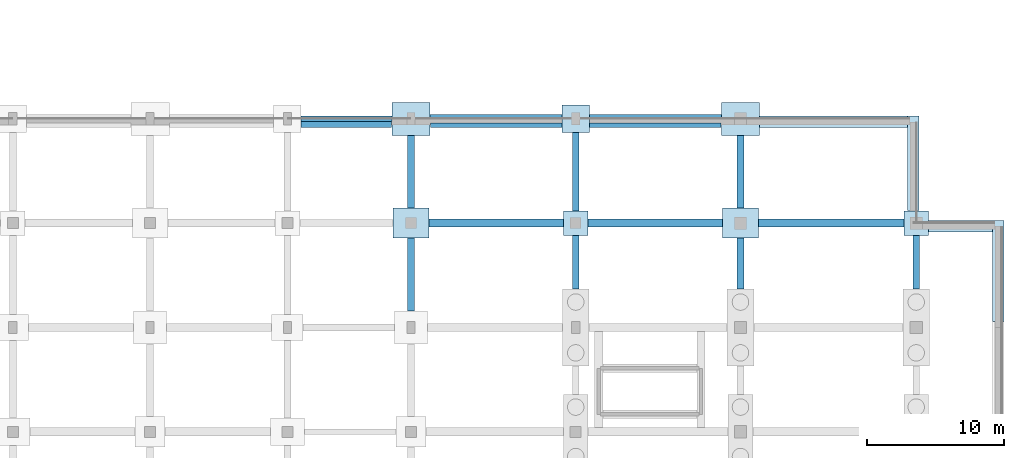
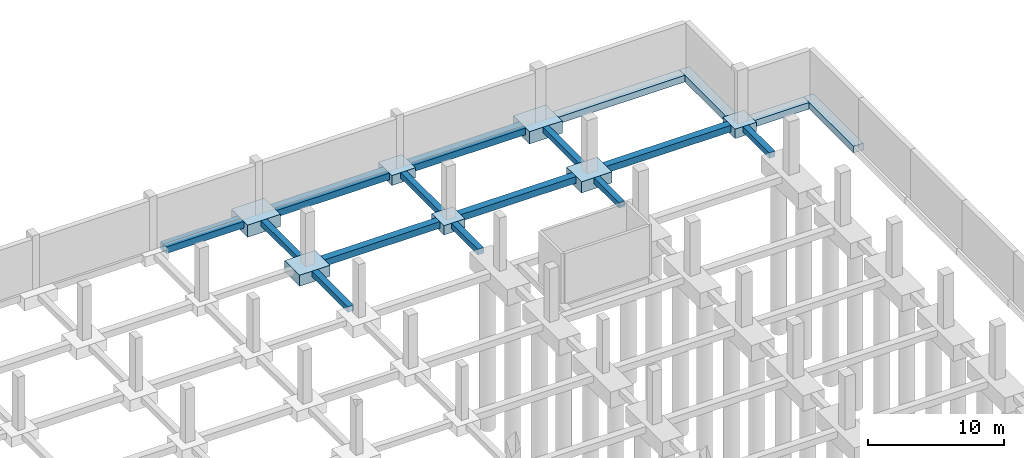
# One storey, part 27 of 50: 27 footings.
"""IFC4 building model written with IfcOpenShell, lengths in metres."""

from ifc_helpers import new_model, si_unit, direction, frame, origin, origin_2d, place, context, subcontext, project, spatial, polyline, rectangle, outline, extrude, material, material_profile, profile_set, type_object, element, save


model = new_model("IFC4")

# Units and contexts
model_context = context("Model", 3, precision=1e-05, world=origin(), true_north=direction((0.0, 1.0)))
body_context = subcontext(model_context, "Body", "Model", "MODEL_VIEW")
ifc_project = project(units=[si_unit("LENGTHUNIT", "METRE"), si_unit("AREAUNIT", "SQUARE_METRE"), si_unit("VOLUMEUNIT", "CUBIC_METRE"), si_unit("PLANEANGLEUNIT", "RADIAN"), si_unit("MASSUNIT", "GRAM", prefix="KILO")], contexts=[model_context])

# Site, building, storey
site_placement = place(None, origin())
site = spatial("IfcSite", under=ifc_project, at=site_placement, CompositionType="ELEMENT")
building_placement = place(site_placement, origin())
building = spatial("IfcBuilding", under=site, at=building_placement, Name="Vekula Escarpment Museum", CompositionType="ELEMENT")
storey_placement = place(building_placement, frame((0.0, 0.0, -4.800048828125)))
storey = spatial("IfcBuildingStorey", under=building, at=storey_placement, Name="B1", CompositionType="ELEMENT", Elevation=-4.800048828125)

# Footings
ifc_material_1 = material(Name="Concrete C35/45", Category="concrete")
footing_type_1 = type_object("IfcFootingType", Name="FB-STRIP-600", PredefinedType="STRIP_FOOTING", material=ifc_material_1)
footing_1_placement = place(storey_placement, frame((0.0, 0.0, -0.599853515625)))
element("IfcFooting", 1, at=footing_1_placement, inside=storey, type_object=footing_type_1, Name="Plinth Wall Strip Footing 0101", PredefinedType="STRIP_FOOTING", context=body_context, shape_type="SweptSolid", body=[
    extrude(outline(polyline([(197.35498046875, 128.594970703125), (198.195068359375, 128.594970703125), (198.195068359375, 121.22412109375), (197.35498046875, 121.22412109375), (197.35498046875, 128.594970703125)])), origin(), (0.0, 0.0, 1.0), 0.599853515625),
])
footing_2_placement = place(storey_placement, frame((0.0, 0.0, -0.599853515625)))
element("IfcFooting", 2, at=footing_2_placement, inside=storey, type_object=footing_type_1, Name="Plinth Wall Strip Footing 0102", PredefinedType="STRIP_FOOTING", context=body_context, shape_type="SweptSolid", body=[
    extrude(outline(polyline([(192.7041015625, 127.7548828125), (192.7041015625, 128.594970703125), (197.35107421875, 128.594970703125), (197.35107421875, 127.7548828125), (192.7041015625, 127.7548828125)])), origin(), (0.0, 0.0, 1.0), 0.599853515625),
])
footing_3_placement = place(storey_placement, frame((0.0, 0.0, -0.599853515625)))
element("IfcFooting", 3, at=footing_3_placement, inside=storey, type_object=footing_type_1, Name="Plinth Wall Strip Footing 0103", PredefinedType="STRIP_FOOTING", context=body_context, shape_type="SweptSolid", body=[
    extrude(outline(polyline([(191.155029296875, 136.195068359375), (191.9951171875, 136.195068359375), (191.9951171875, 129.303955078125), (191.155029296875, 129.303955078125), (191.155029296875, 136.195068359375)])), origin(), (0.0, 0.0, 1.0), 0.599853515625),
])
footing_4_placement = place(storey_placement, frame((0.0, 0.0, -0.599853515625)))
element("IfcFooting", 4, at=footing_4_placement, inside=storey, type_object=footing_type_1, Name="Plinth Wall Strip Footing 0104", PredefinedType="STRIP_FOOTING", context=body_context, shape_type="SweptSolid", body=[
    extrude(outline(polyline([(180.404052734375, 135.35498046875), (180.404052734375, 136.195068359375), (191.15087890625, 136.195068359375), (191.15087890625, 135.35498046875), (180.404052734375, 135.35498046875)])), origin(), (0.0, 0.0, 1.0), 0.599853515625),
])
footing_5_placement = place(storey_placement, frame((0.0, 0.0, -0.599853515625)))
element("IfcFooting", 5, at=footing_5_placement, inside=storey, type_object=footing_type_1, Name="Plinth Wall Strip Footing 0105", PredefinedType="STRIP_FOOTING", context=body_context, shape_type="SweptSolid", body=[
    extrude(outline(polyline([(168.00390625, 135.35498046875), (168.00390625, 135.696044921875), (177.595947265625, 135.696044921875), (177.595947265625, 135.35498046875), (168.00390625, 135.35498046875)])), origin(), (0.0, 0.0, 1.0), 0.599853515625),
])
footing_6_placement = place(storey_placement, frame((0.0, 0.0, -0.599853515625)))
element("IfcFooting", 6, at=footing_6_placement, inside=storey, type_object=footing_type_1, Name="Plinth Wall Strip Footing 0106", PredefinedType="STRIP_FOOTING", context=body_context, shape_type="SweptSolid", body=[
    extrude(outline(polyline([(156.404052734375, 135.35498046875), (156.404052734375, 135.696044921875), (165.99609375, 135.696044921875), (165.99609375, 135.35498046875), (156.404052734375, 135.35498046875)])), origin(), (0.0, 0.0, 1.0), 0.599853515625),
])
footing_7_placement = place(storey_placement, frame((0.0, 0.0, -0.599853515625)))
element("IfcFooting", 7, at=footing_7_placement, inside=storey, type_object=footing_type_1, Name="Plinth Wall Strip Footing 0107", PredefinedType="STRIP_FOOTING", context=body_context, shape_type="SweptSolid", body=[
    extrude(outline(polyline([(147.00390625, 135.35498046875), (147.00390625, 135.7958984375), (153.595947265625, 135.7958984375), (153.595947265625, 135.35498046875), (147.00390625, 135.35498046875)])), origin(), (0.0, 0.0, 1.0), 0.599853515625),
])
ifc_material_2 = material(Name="Concrete C35/45", Category="concrete")
ifc_material_profile_1 = material_profile(ifc_material_2, rectangle(XDim=0.39990234375, YDim=0.699951171875, at=origin_2d()), Name="RC 400x700")
ifc_profile_set_1 = profile_set([ifc_material_profile_1], Name="Concrete C35/45")
footing_type_2 = type_object("IfcFootingType", Name="FB-TIE-400x700", PredefinedType="FOOTING_BEAM", material=ifc_profile_set_1)
footing_8_placement = place(storey_placement, frame((147.0, 136.0, -0.349853515625), z_axis=(1.0, 0.0, 0.0), x_axis=(0.0, 1.0, 0.0)))
element("IfcFooting", 8, at=footing_8_placement, inside=storey, type_object=footing_type_2, Name="Foundation Tie Beam 399", PredefinedType="FOOTING_BEAM", context=body_context, shape_type="SweptSolid", body=[
    extrude(rectangle(XDim=0.39990234375, YDim=0.699951171875, at=origin_2d()), origin(), (0.0, 0.0, 1.0), 6.60009765625),
])
ifc_material_3 = material(Name="Concrete C35/45", Category="concrete")
ifc_material_profile_2 = material_profile(ifc_material_3, rectangle(XDim=0.5, YDim=0.5, at=origin_2d()), Name="RC 500x500")
ifc_profile_set_2 = profile_set([ifc_material_profile_2], Name="Concrete C35/45")
footing_type_3 = type_object("IfcFootingType", Name="FB-TIE-500x500", PredefinedType="FOOTING_BEAM", material=ifc_profile_set_2)
for number, where, z_axis, x_axis, name in (
    (9, (155.0, 122.0, -0.25), (0.0, 1.0, 0.0), (-1.0, 0.0, 0.0), "Foundation Tie Beam 737"),
    (10, (155.0, 129.5, -0.25), (0.0, 1.0, 0.0), (-1.0, 0.0, 0.0), "Foundation Tie Beam 738"),
):
    element("IfcFooting", number, at=place(storey_placement, frame(where, z_axis=z_axis, x_axis=x_axis)), inside=storey, type_object=footing_type_3, Name=name, PredefinedType="FOOTING_BEAM", context=body_context, shape_type="SweptSolid", body=[
        extrude(rectangle(XDim=0.5, YDim=0.5, at=origin_2d()), origin(), (0.0, 0.0, 1.0), 5.300048828125),
    ])
footing_9_placement = place(storey_placement, frame((167.0, 123.60009765625, -0.25), z_axis=(0.0, 1.0, 0.0), x_axis=(-1.0, 0.0, 0.0)))
element("IfcFooting", 11, at=footing_9_placement, inside=storey, type_object=footing_type_3, Name="Foundation Tie Beam 756", PredefinedType="FOOTING_BEAM", context=body_context, shape_type="SweptSolid", body=[
    extrude(rectangle(XDim=0.5, YDim=0.5, at=origin_2d()), origin(), (0.0, 0.0, 1.0), 3.89990234375),
])
footing_10_placement = place(storey_placement, frame((167.0, 129.300048828125, -0.25), z_axis=(0.0, 1.0, 0.0), x_axis=(-1.0, 0.0, 0.0)))
element("IfcFooting", 12, at=footing_10_placement, inside=storey, type_object=footing_type_3, Name="Foundation Tie Beam 757", PredefinedType="FOOTING_BEAM", context=body_context, shape_type="SweptSolid", body=[
    extrude(rectangle(XDim=0.5, YDim=0.5, at=origin_2d()), origin(), (0.0, 0.0, 1.0), 5.699951171875),
])
footing_11_placement = place(storey_placement, frame((179.0, 123.60009765625, -0.25), z_axis=(0.0, 1.0, 0.0), x_axis=(-1.0, 0.0, 0.0)))
element("IfcFooting", 13, at=footing_11_placement, inside=storey, type_object=footing_type_3, Name="Foundation Tie Beam 775", PredefinedType="FOOTING_BEAM", context=body_context, shape_type="SweptSolid", body=[
    extrude(rectangle(XDim=0.5, YDim=0.5, at=origin_2d()), origin(), (0.0, 0.0, 1.0), 3.699951171875),
])
footing_12_placement = place(storey_placement, frame((179.0, 129.5, -0.25), z_axis=(0.0, 1.0, 0.0), x_axis=(-1.0, 0.0, 0.0)))
element("IfcFooting", 14, at=footing_12_placement, inside=storey, type_object=footing_type_3, Name="Foundation Tie Beam 776", PredefinedType="FOOTING_BEAM", context=body_context, shape_type="SweptSolid", body=[
    extrude(rectangle(XDim=0.5, YDim=0.5, at=origin_2d()), origin(), (0.0, 0.0, 1.0), 5.300048828125),
])
footing_13_placement = place(storey_placement, frame((191.800048828125, 123.60009765625, -0.25), z_axis=(0.0, 1.0, 0.0), x_axis=(-1.0, 0.0, 0.0)))
element("IfcFooting", 15, at=footing_13_placement, inside=storey, type_object=footing_type_3, Name="Foundation Tie Beam 794", PredefinedType="FOOTING_BEAM", context=body_context, shape_type="SweptSolid", body=[
    extrude(rectangle(XDim=0.5, YDim=0.5, at=origin_2d()), origin(), (0.0, 0.0, 1.0), 3.89990234375),
])
ifc_material_4 = material(Name="Concrete C35/45", Category="concrete")
ifc_material_profile_3 = material_profile(ifc_material_4, rectangle(XDim=0.60009765625, YDim=0.60009765625, at=origin_2d()), Name="RC 600x600")
ifc_profile_set_3 = profile_set([ifc_material_profile_3], Name="Concrete C35/45")
footing_type_4 = type_object("IfcFootingType", Name="FB-TIE-600x600", PredefinedType="FOOTING_BEAM", material=ifc_profile_set_3)
for number, where, z_axis, x_axis, name in (
    (16, (156.300048828125, 128.39990234375, -0.300048828125), (1.0, 0.0, 0.0), (0.0, 1.0, 0.0), "Foundation Tie Beam 377"),
    (17, (167.89990234375, 128.39990234375, -0.300048828125), (1.0, 0.0, 0.0), (0.0, 1.0, 0.0), "Foundation Tie Beam 378"),
):
    element("IfcFooting", number, at=place(storey_placement, frame(where, z_axis=z_axis, x_axis=x_axis)), inside=storey, type_object=footing_type_4, Name=name, PredefinedType="FOOTING_BEAM", context=body_context, shape_type="SweptSolid", body=[
        extrude(rectangle(XDim=0.60009765625, YDim=0.60009765625, at=origin_2d()), origin(), (0.0, 0.0, 1.0), 9.800048828125),
    ])
footing_14_placement = place(storey_placement, frame((180.300048828125, 128.39990234375, -0.300048828125), z_axis=(1.0, 0.0, 0.0), x_axis=(0.0, 1.0, 0.0)))
element("IfcFooting", 18, at=footing_14_placement, inside=storey, type_object=footing_type_4, Name="Foundation Tie Beam 379", PredefinedType="FOOTING_BEAM", context=body_context, shape_type="SweptSolid", body=[
    extrude(rectangle(XDim=0.60009765625, YDim=0.60009765625, at=origin_2d()), origin(), (0.0, 0.0, 1.0), 10.599853515625),
])
for number, where, z_axis, x_axis, name in (
    (19, (156.39990234375, 136.0, -0.300048828125), (1.0, 0.0, 0.0), (0.0, 1.0, 0.0), "Foundation Tie Beam 400"),
    (20, (168.0, 136.0, -0.300048828125), (1.0, 0.0, 0.0), (0.0, 1.0, 0.0), "Foundation Tie Beam 401"),
):
    element("IfcFooting", number, at=place(storey_placement, frame(where, z_axis=z_axis, x_axis=x_axis)), inside=storey, type_object=footing_type_4, Name=name, PredefinedType="FOOTING_BEAM", context=body_context, shape_type="SweptSolid", body=[
        extrude(rectangle(XDim=0.60009765625, YDim=0.60009765625, at=origin_2d()), origin(), (0.0, 0.0, 1.0), 9.60009765625),
    ])
ifc_material_5 = material(Name="Concrete C35/45", Category="concrete")
footing_type_5 = type_object("IfcFootingType", Name="FC-PAD1", PredefinedType="PAD_FOOTING", material=ifc_material_5)
footing_15_placement = place(storey_placement, frame((0.0, 0.0, -0.849853515625)))
element("IfcFooting", 21, at=footing_15_placement, inside=storey, type_object=footing_type_5, Name="Foundation FC-PAD1 (167.0,128.4)", PredefinedType="PAD_FOOTING", context=body_context, shape_type="SweptSolid", body=[
    extrude(outline(polyline([(166.10009765625, 127.5), (167.89990234375, 127.5), (167.89990234375, 129.300048828125), (166.10009765625, 129.300048828125), (166.10009765625, 127.5)])), origin(), (0.0, 0.0, 1.0), 0.849853515625),
])
footing_16_placement = place(storey_placement, frame((0.0, 0.0, -0.849853515625)))
element("IfcFooting", 22, at=footing_16_placement, inside=storey, type_object=footing_type_5, Name="Foundation FC-PAD1 (191.8,128.4)", PredefinedType="PAD_FOOTING", context=body_context, shape_type="SweptSolid", body=[
    extrude(outline(polyline([(190.89990234375, 127.5), (192.699951171875, 127.5), (192.699951171875, 129.300048828125), (190.89990234375, 129.300048828125), (190.89990234375, 127.5)])), origin(), (0.0, 0.0, 1.0), 0.849853515625),
])
ifc_material_6 = material(Name="Concrete C35/45", Category="concrete")
footing_type_6 = type_object("IfcFootingType", Name="FC-PAD2", PredefinedType="PAD_FOOTING", material=ifc_material_6)
footing_17_placement = place(storey_placement, frame((0.0, 0.0, -0.89990234375)))
element("IfcFooting", 23, at=footing_17_placement, inside=storey, type_object=footing_type_6, Name="Foundation FC-PAD2 (167.0,136.0)", PredefinedType="PAD_FOOTING", context=body_context, shape_type="SweptSolid", body=[
    extrude(outline(polyline([(166.0, 135.0), (168.0, 135.0), (168.0, 137.0), (166.0, 137.0), (166.0, 135.0)])), origin(), (0.0, 0.0, 1.0), 0.89990234375),
])
ifc_material_7 = material(Name="Concrete C35/45", Category="concrete")
footing_type_7 = type_object("IfcFootingType", Name="FC-PAD5", PredefinedType="PAD_FOOTING", material=ifc_material_7)
footing_18_placement = place(storey_placement, frame((0.0, 0.0, -1.0)))
element("IfcFooting", 24, at=footing_18_placement, inside=storey, type_object=footing_type_7, Name="Foundation FC-PAD5 (155.0,128.4)", PredefinedType="PAD_FOOTING", context=body_context, shape_type="SweptSolid", body=[
    extrude(outline(polyline([(153.699951171875, 127.300048828125), (156.300048828125, 127.300048828125), (156.300048828125, 129.5), (153.699951171875, 129.5), (153.699951171875, 127.300048828125)])), origin(), (0.0, 0.0, 1.0), 1.0),
])
footing_19_placement = place(storey_placement, frame((0.0, 0.0, -1.0)))
element("IfcFooting", 25, at=footing_19_placement, inside=storey, type_object=footing_type_7, Name="Foundation FC-PAD5 (179.0,128.4)", PredefinedType="PAD_FOOTING", context=body_context, shape_type="SweptSolid", body=[
    extrude(outline(polyline([(177.699951171875, 127.300048828125), (180.300048828125, 127.300048828125), (180.300048828125, 129.5), (177.699951171875, 129.5), (177.699951171875, 127.300048828125)])), origin(), (0.0, 0.0, 1.0), 1.0),
])
ifc_material_8 = material(Name="Concrete C35/45", Category="concrete")
footing_type_8 = type_object("IfcFootingType", Name="FC-PAD6", PredefinedType="PAD_FOOTING", material=ifc_material_8)
footing_20_placement = place(storey_placement, frame((0.0, 0.0, -1.099853515625)))
element("IfcFooting", 26, at=footing_20_placement, inside=storey, type_object=footing_type_8, Name="Foundation FC-PAD6 (155.0,136.0)", PredefinedType="PAD_FOOTING", context=body_context, shape_type="SweptSolid", body=[
    extrude(outline(polyline([(153.60009765625, 134.800048828125), (156.39990234375, 134.800048828125), (156.39990234375, 137.199951171875), (153.60009765625, 137.199951171875), (153.60009765625, 134.800048828125)])), origin(), (0.0, 0.0, 1.0), 1.099853515625),
])
footing_21_placement = place(storey_placement, frame((0.0, 0.0, -1.099853515625)))
element("IfcFooting", 27, at=footing_21_placement, inside=storey, type_object=footing_type_8, Name="Foundation FC-PAD6 (179.0,136.0)", PredefinedType="PAD_FOOTING", context=body_context, shape_type="SweptSolid", body=[
    extrude(outline(polyline([(177.60009765625, 134.800048828125), (180.39990234375, 134.800048828125), (180.39990234375, 137.199951171875), (177.60009765625, 137.199951171875), (177.60009765625, 134.800048828125)])), origin(), (0.0, 0.0, 1.0), 1.099853515625),
])

save(model, "model.ifc")
